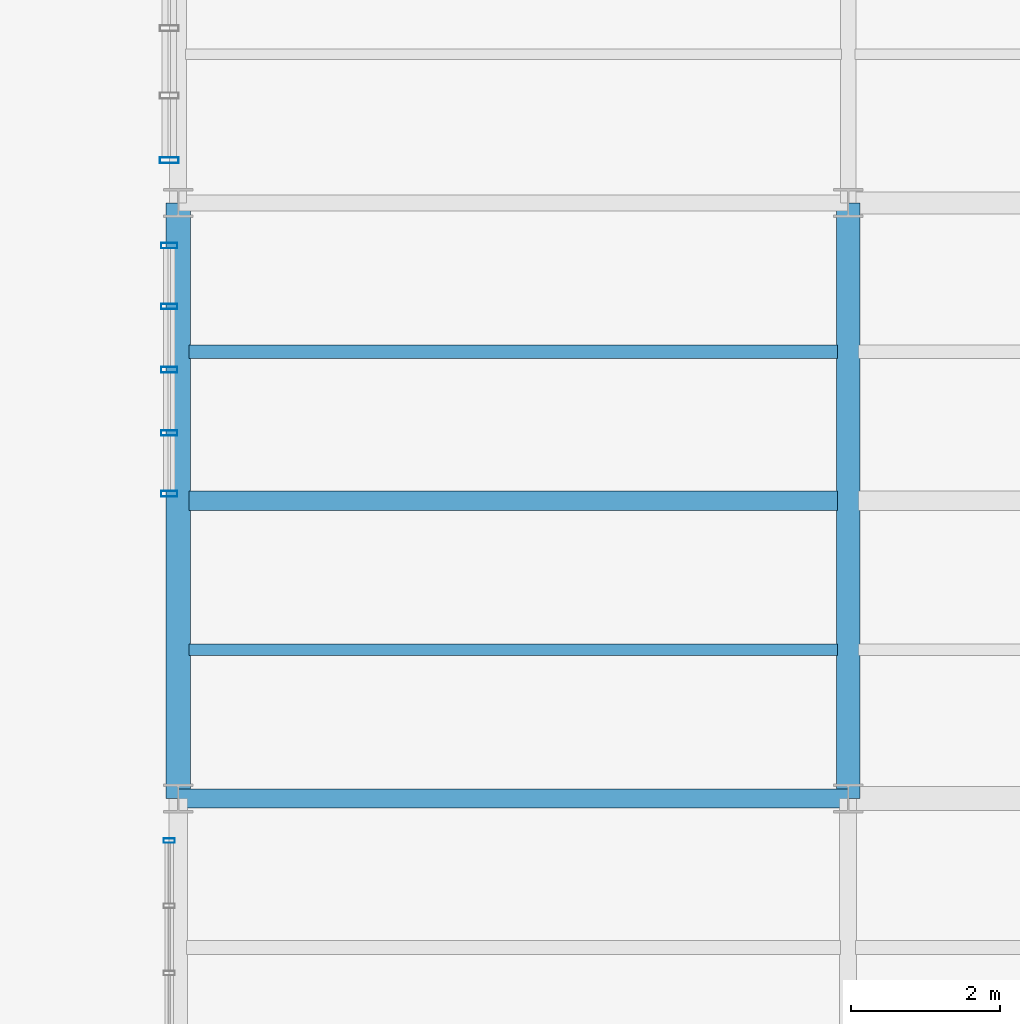
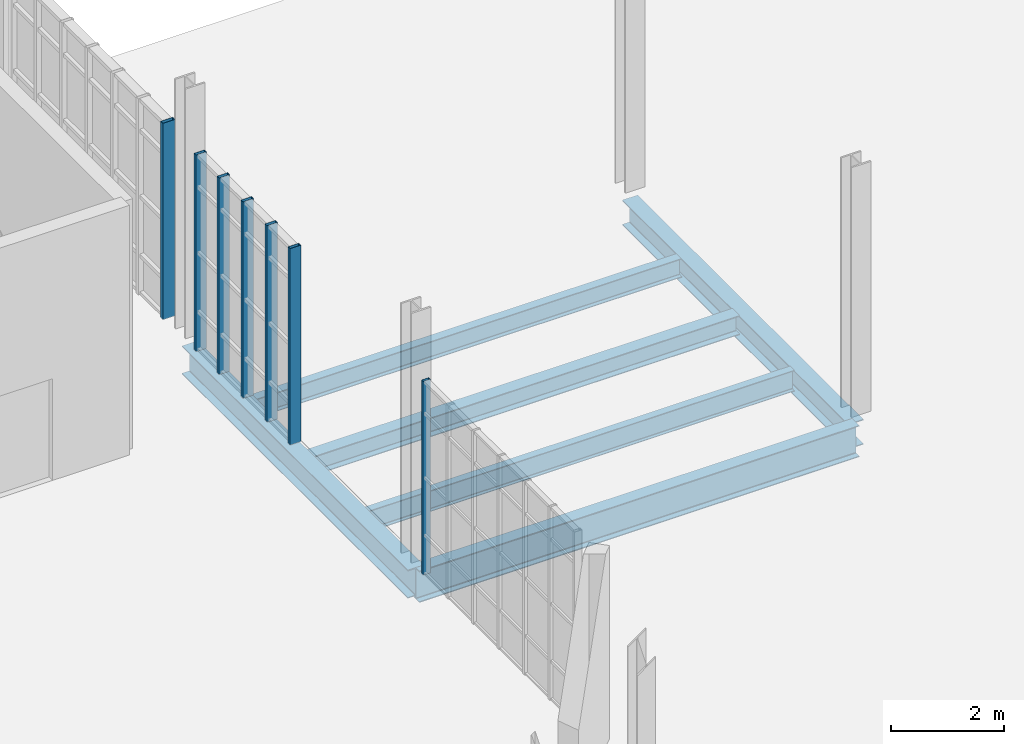
# One storey, part 92 of 189: 7 members, 6 beams, 3 elements without a shape of their own.
"""IFC4 building model written with IfcOpenShell, lengths in metres."""

from ifc_helpers import new_model, si_unit, direction, frame, origin, origin_2d, place, context, subcontext, project, spatial, hollow_rectangle, i_section, extrude, material, layer, layer_set, material_profile, profile_set, type_object, element, aggregate, save


model = new_model("IFC4")

# Units and contexts
model_context = context("Model", 3, precision=1e-05, world=origin(), true_north=direction((0.0, 1.0)))
body_context = subcontext(model_context, "Body", "Model", "MODEL_VIEW")
ifc_project = project(units=[si_unit("LENGTHUNIT", "METRE"), si_unit("AREAUNIT", "SQUARE_METRE"), si_unit("VOLUMEUNIT", "CUBIC_METRE"), si_unit("PLANEANGLEUNIT", "RADIAN"), si_unit("MASSUNIT", "GRAM", prefix="KILO"), si_unit("THERMODYNAMICTEMPERATUREUNIT", "KELVIN"), si_unit("POWERUNIT", "WATT")], contexts=[model_context])

# Site, building, storey
site_placement = place(None, origin())
site = spatial("IfcSite", under=ifc_project, at=site_placement, CompositionType="ELEMENT")
building_placement = place(site_placement, origin())
building = spatial("IfcBuilding", under=site, at=building_placement, Name="Zelmaris Science Centre", CompositionType="ELEMENT")
storey_placement = place(building_placement, origin())
storey = spatial("IfcBuildingStorey", under=building, at=storey_placement, Name="L00", CompositionType="ELEMENT", Elevation=0.0)

# Curtain wall, member
ifc_material_1 = material(Name="Anodised architectural aluminium 6063-T6", Category="aluminium")
ifc_layer_1 = layer(ifc_material_1, 0.219970703125, Name="Anodised architectural aluminium 6063-T6")
ifc_layer_set_1 = layer_set([ifc_layer_1], Name="Anodised architectural aluminium 6063-T6")
curtain_wall_type_1 = type_object("IfcCurtainWallType", Name="Curtain Wall CW-04", PredefinedType="USERDEFINED", material=ifc_layer_set_1)
curtain_wall_1_placement = place(storey_placement, origin())
curtain_wall_1 = element("IfcCurtainWall", 1, at=curtain_wall_1_placement, inside=storey, type_object=curtain_wall_type_1, Name="L00 Unitised curtain wall 32", ObjectType="GLAZED CURTAIN WALL", PredefinedType="USERDEFINED")
ifc_material_profile_1 = material_profile(ifc_material_1, hollow_rectangle(XDim=0.06005859375, YDim=0.14990234375, WallThickness=0.00341796875, at=origin_2d()), Name="ALU-MUL-60X150")
ifc_profile_set_1 = profile_set([ifc_material_profile_1], Name="Anodised architectural aluminium 6063-T6")
member_type_1 = type_object("IfcMemberType", Name="ALU-MUL-60X150", PredefinedType="MULLION", material=ifc_profile_set_1)
member_1_placement = place(storey_placement, frame((71.8798828125, 71.43408203125, -0.014892578125), z_axis=(0.0, 0.0, 1.0), x_axis=(0.0, -1.0, 0.0)))
member_1 = element("IfcMember", 2, at=member_1_placement, type_object=member_type_1, Name="CW-04 mullion 1", PredefinedType="MULLION", context=body_context, shape_type="SweptSolid", body=[
    extrude(hollow_rectangle(XDim=0.06005859375, YDim=0.14990234375, WallThickness=0.00341796875, at=origin_2d()), origin(), (0.0, 0.0, 1.0), 4.185791015625),
])
aggregate(curtain_wall_1, [member_1])

# Curtain wall, members
ifc_layer_2 = layer(ifc_material_1, 0.199951171875, Name="Anodised architectural aluminium 6063-T6")
ifc_layer_set_2 = layer_set([ifc_layer_2], Name="Anodised architectural aluminium 6063-T6")
curtain_wall_type_2 = type_object("IfcCurtainWallType", Name="Curtain Wall CW-02", PredefinedType="USERDEFINED", material=ifc_layer_set_2)
curtain_wall_2_placement = place(storey_placement, origin())
curtain_wall_2 = element("IfcCurtainWall", 3, at=curtain_wall_2_placement, inside=storey, type_object=curtain_wall_type_2, Name="L00 Unitised curtain wall 30", ObjectType="GLAZED CURTAIN WALL", PredefinedType="USERDEFINED")
ifc_material_profile_2 = material_profile(ifc_material_1, hollow_rectangle(XDim=0.074951171875, YDim=0.219970703125, WallThickness=0.0048828125, at=origin_2d()), Name="ALU-MUL-75X220")
ifc_profile_set_2 = profile_set([ifc_material_profile_2], Name="Anodised architectural aluminium 6063-T6")
member_type_2 = type_object("IfcMemberType", Name="ALU-MUL-75X220", PredefinedType="MULLION", material=ifc_profile_set_2)
member_2_placement = place(storey_placement, frame((71.8798828125, 79.426513671875, -0.014892578125), z_axis=(0.0, 0.0, 1.0), x_axis=(0.0, -1.0, 0.0)))
member_2 = element("IfcMember", 4, at=member_2_placement, type_object=member_type_2, Name="CW-02 mullion 1", PredefinedType="MULLION", context=body_context, shape_type="SweptSolid", body=[
    extrude(hollow_rectangle(XDim=0.074951171875, YDim=0.219970703125, WallThickness=0.0048828125, at=origin_2d()), origin(), (0.0, 0.0, 1.0), 4.248779296875),
])
member_3_placement = place(storey_placement, frame((71.8798828125, 78.610107421875, -0.014892578125), z_axis=(0.0, 0.0, 1.0), x_axis=(0.0, -1.0, 0.0)))
member_3 = element("IfcMember", 5, at=member_3_placement, type_object=member_type_2, Name="CW-02 mullion 2", PredefinedType="MULLION", context=body_context, shape_type="SweptSolid", body=[
    extrude(hollow_rectangle(XDim=0.074951171875, YDim=0.219970703125, WallThickness=0.0048828125, at=origin_2d()), origin(), (0.0, 0.0, 1.0), 4.248779296875),
])
member_4_placement = place(storey_placement, frame((71.8798828125, 77.760009765625, -0.014892578125), z_axis=(0.0, 0.0, 1.0), x_axis=(0.0, -1.0, 0.0)))
member_4 = element("IfcMember", 6, at=member_4_placement, type_object=member_type_2, Name="CW-02 mullion 3", PredefinedType="MULLION", context=body_context, shape_type="SweptSolid", body=[
    extrude(hollow_rectangle(XDim=0.074951171875, YDim=0.219970703125, WallThickness=0.0048828125, at=origin_2d()), origin(), (0.0, 0.0, 1.0), 4.248779296875),
])
member_5_placement = place(storey_placement, frame((71.8798828125, 76.909912109375, -0.014892578125), z_axis=(0.0, 0.0, 1.0), x_axis=(0.0, -1.0, 0.0)))
member_5 = element("IfcMember", 7, at=member_5_placement, type_object=member_type_2, Name="CW-02 mullion 4", PredefinedType="MULLION", context=body_context, shape_type="SweptSolid", body=[
    extrude(hollow_rectangle(XDim=0.074951171875, YDim=0.219970703125, WallThickness=0.0048828125, at=origin_2d()), origin(), (0.0, 0.0, 1.0), 4.248779296875),
])
member_6_placement = place(storey_placement, frame((71.8798828125, 76.093505859375, -0.014892578125), z_axis=(0.0, 0.0, 1.0), x_axis=(0.0, -1.0, 0.0)))
member_6 = element("IfcMember", 8, at=member_6_placement, type_object=member_type_2, Name="CW-02 mullion 5", PredefinedType="MULLION", context=body_context, shape_type="SweptSolid", body=[
    extrude(hollow_rectangle(XDim=0.074951171875, YDim=0.219970703125, WallThickness=0.0048828125, at=origin_2d()), origin(), (0.0, 0.0, 1.0), 4.248779296875),
])
aggregate(curtain_wall_2, [member_2, member_3, member_4, member_5, member_6])

# Curtain wall, member
ifc_layer_3 = layer(ifc_material_1, 0.18994140625, Name="Anodised architectural aluminium 6063-T6")
ifc_layer_set_3 = layer_set([ifc_layer_3], Name="Anodised architectural aluminium 6063-T6")
curtain_wall_type_3 = type_object("IfcCurtainWallType", Name="Curtain Wall CW-01", PredefinedType="USERDEFINED", material=ifc_layer_set_3)
curtain_wall_3_placement = place(storey_placement, origin())
curtain_wall_3 = element("IfcCurtainWall", 9, at=curtain_wall_3_placement, inside=storey, type_object=curtain_wall_type_3, Name="L00 Unitised curtain wall 29", ObjectType="GLAZED CURTAIN WALL", PredefinedType="USERDEFINED")
ifc_material_profile_3 = material_profile(ifc_material_1, hollow_rectangle(XDim=0.080078125, YDim=0.25, WallThickness=0.0048828125, at=origin_2d()), Name="ALU-MUL-80X250")
ifc_profile_set_3 = profile_set([ifc_material_profile_3], Name="Anodised architectural aluminium 6063-T6")
member_type_3 = type_object("IfcMemberType", Name="ALU-MUL-80X250", PredefinedType="MULLION", material=ifc_profile_set_3)
member_7_placement = place(storey_placement, frame((71.8798828125, 80.575927734375, -0.014892578125), z_axis=(0.0, 0.0, 1.0), x_axis=(0.0, -1.0, 0.0)))
member_7 = element("IfcMember", 10, at=member_7_placement, type_object=member_type_3, Name="CW-01 mullion 7", PredefinedType="MULLION", context=body_context, shape_type="SweptSolid", body=[
    extrude(hollow_rectangle(XDim=0.080078125, YDim=0.25, WallThickness=0.0048828125, at=origin_2d()), origin(), (0.0, 0.0, 1.0), 4.248779296875),
])
aggregate(curtain_wall_3, [member_7])

# Beams
ifc_material_2 = material(Name="Steel ASTM A992 Grade 50", Category="steel")
ifc_material_profile_4 = material_profile(ifc_material_2, i_section(OverallWidth=0.25390625, OverallDepth=0.68310546875, WebThickness=0.012451171875, FlangeThickness=0.018798828125, FilletRadius=0.01806640625, at=origin_2d()), Name="W27X94")
ifc_profile_set_4 = profile_set([ifc_material_profile_4], Name="Steel ASTM A992 Grade 50")
beam_type_1 = type_object("IfcBeamType", Name="Beam G-13 W27X94", PredefinedType="BEAM", material=ifc_profile_set_4)
beam_1_placement = place(storey_placement, frame((72.0, 72.0, -0.62158203125), z_axis=(1.0, 0.0, 0.0), x_axis=(0.0, 1.0, 0.0)))
element("IfcBeam", 11, at=beam_1_placement, inside=storey, type_object=beam_type_1, Name="L00 East-west girder 162", PredefinedType="BEAM", context=body_context, shape_type="SweptSolid", body=[
    extrude(i_section(OverallWidth=0.25390625, OverallDepth=0.68310546875, WebThickness=0.012451171875, FlangeThickness=0.018798828125, FilletRadius=0.01806640625, at=origin_2d()), origin(), (0.0, 0.0, 1.0), 9.0),
])
ifc_material_profile_5 = material_profile(ifc_material_2, i_section(OverallWidth=0.324951171875, OverallDepth=0.612060546875, WebThickness=0.0126953125, FlangeThickness=0.01904296875, FilletRadius=0.014892578125, at=origin_2d()), Name="W24X104")
ifc_profile_set_5 = profile_set([ifc_material_profile_5], Name="Steel ASTM A992 Grade 50")
beam_type_2 = type_object("IfcBeamType", Name="Beam G-15 W24X104", PredefinedType="BEAM", material=ifc_profile_set_5)
beam_2_placement = place(storey_placement, frame((72.0, 72.0, -0.5859375), z_axis=(0.0, 1.0, 0.0), x_axis=(-1.0, 0.0, 0.0)))
element("IfcBeam", 12, at=beam_2_placement, inside=storey, type_object=beam_type_2, Name="L00 North-south girder 39", PredefinedType="BEAM", context=body_context, shape_type="SweptSolid", body=[
    extrude(i_section(OverallWidth=0.324951171875, OverallDepth=0.612060546875, WebThickness=0.0126953125, FlangeThickness=0.01904296875, FilletRadius=0.014892578125, at=origin_2d()), origin(), (0.0, 0.0, 1.0), 8.0),
])
ifc_material_profile_6 = material_profile(ifc_material_2, i_section(OverallWidth=0.31201171875, OverallDepth=0.5439453125, WebThickness=0.0126953125, FlangeThickness=0.020263671875, FilletRadius=0.013916015625, at=origin_2d()), Name="W21X101")
ifc_profile_set_6 = profile_set([ifc_material_profile_6], Name="Steel ASTM A992 Grade 50")
beam_type_3 = type_object("IfcBeamType", Name="Beam G-18 W21X101", PredefinedType="BEAM", material=ifc_profile_set_6)
beam_3_placement = place(storey_placement, frame((81.0, 72.0, -0.552001953125), z_axis=(0.0, 1.0, 0.0), x_axis=(-1.0, 0.0, 0.0)))
element("IfcBeam", 13, at=beam_3_placement, inside=storey, type_object=beam_type_3, Name="L00 North-south girder 42", PredefinedType="BEAM", context=body_context, shape_type="SweptSolid", body=[
    extrude(i_section(OverallWidth=0.31201171875, OverallDepth=0.5439453125, WebThickness=0.0126953125, FlangeThickness=0.020263671875, FilletRadius=0.013916015625, at=origin_2d()), origin(), (0.0, 0.0, 1.0), 8.0),
])
ifc_material_profile_7 = material_profile(ifc_material_2, i_section(OverallWidth=0.152099609375, OverallDepth=0.455078125, WebThickness=0.008056640625, FlangeThickness=0.01318359375, FilletRadius=0.012939453125, at=origin_2d()), Name="W18X40")
ifc_profile_set_7 = profile_set([ifc_material_profile_7], Name="Steel ASTM A992 Grade 50")
beam_type_4 = type_object("IfcBeamType", Name="Beam J-05 W18X40", PredefinedType="JOIST", material=ifc_profile_set_7)
beam_4_placement = place(storey_placement, frame((72.1474609375, 74.0, -0.507568359375), z_axis=(1.0, 0.0, 0.0), x_axis=(0.0, 1.0, 0.0)))
element("IfcBeam", 14, at=beam_4_placement, inside=storey, type_object=beam_type_4, Name="L00 Composite floor joist 49", PredefinedType="JOIST", context=body_context, shape_type="SweptSolid", body=[
    extrude(i_section(OverallWidth=0.152099609375, OverallDepth=0.455078125, WebThickness=0.008056640625, FlangeThickness=0.01318359375, FilletRadius=0.012939453125, at=origin_2d()), origin(), (0.0, 0.0, 1.0), 8.71142578125),
])
ifc_material_profile_8 = material_profile(ifc_material_2, i_section(OverallWidth=0.260009765625, OverallDepth=0.4140625, WebThickness=0.010009765625, FlangeThickness=0.016845703125, FilletRadius=0.011962890625, at=origin_2d()), Name="W16X67")
ifc_profile_set_8 = profile_set([ifc_material_profile_8], Name="Steel ASTM A992 Grade 50")
beam_type_5 = type_object("IfcBeamType", Name="Beam J-06 W16X67", PredefinedType="JOIST", material=ifc_profile_set_8)
beam_5_placement = place(storey_placement, frame((72.1474609375, 76.0, -0.487060546875), z_axis=(1.0, 0.0, 0.0), x_axis=(0.0, 1.0, 0.0)))
element("IfcBeam", 15, at=beam_5_placement, inside=storey, type_object=beam_type_5, Name="L00 Composite floor joist 50", PredefinedType="JOIST", context=body_context, shape_type="SweptSolid", body=[
    extrude(i_section(OverallWidth=0.260009765625, OverallDepth=0.4140625, WebThickness=0.010009765625, FlangeThickness=0.016845703125, FilletRadius=0.011962890625, at=origin_2d()), origin(), (0.0, 0.0, 1.0), 8.71142578125),
])
ifc_material_profile_9 = material_profile(ifc_material_2, i_section(OverallWidth=0.177978515625, OverallDepth=0.408935546875, WebThickness=0.0087890625, FlangeThickness=0.014404296875, FilletRadius=0.011962890625, at=origin_2d()), Name="W16X45")
ifc_profile_set_9 = profile_set([ifc_material_profile_9], Name="Steel ASTM A992 Grade 50")
beam_type_6 = type_object("IfcBeamType", Name="Beam J-07 W16X45", PredefinedType="JOIST", material=ifc_profile_set_9)
beam_6_placement = place(storey_placement, frame((72.1474609375, 78.0, -0.484619140625), z_axis=(1.0, 0.0, 0.0), x_axis=(0.0, 1.0, 0.0)))
element("IfcBeam", 16, at=beam_6_placement, inside=storey, type_object=beam_type_6, Name="L00 Composite floor joist 51", PredefinedType="JOIST", context=body_context, shape_type="SweptSolid", body=[
    extrude(i_section(OverallWidth=0.177978515625, OverallDepth=0.408935546875, WebThickness=0.0087890625, FlangeThickness=0.014404296875, FilletRadius=0.011962890625, at=origin_2d()), origin(), (0.0, 0.0, 1.0), 8.71142578125),
])

save(model, "model.ifc")
